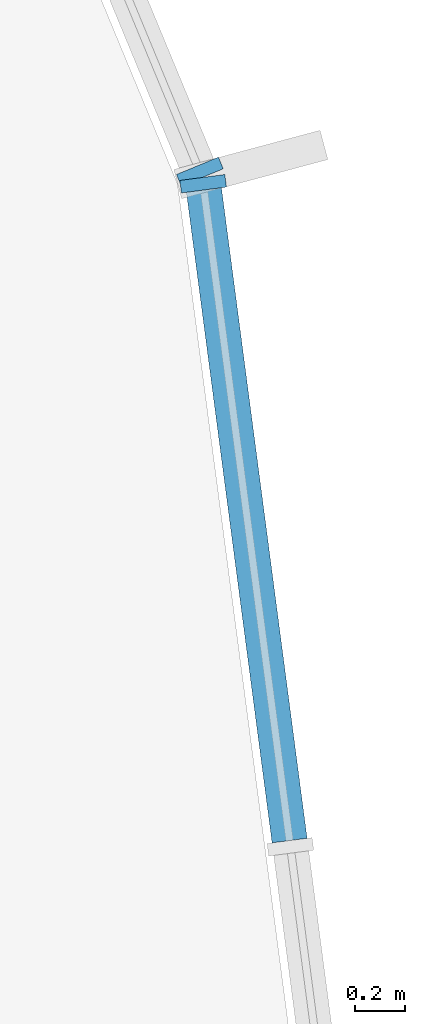
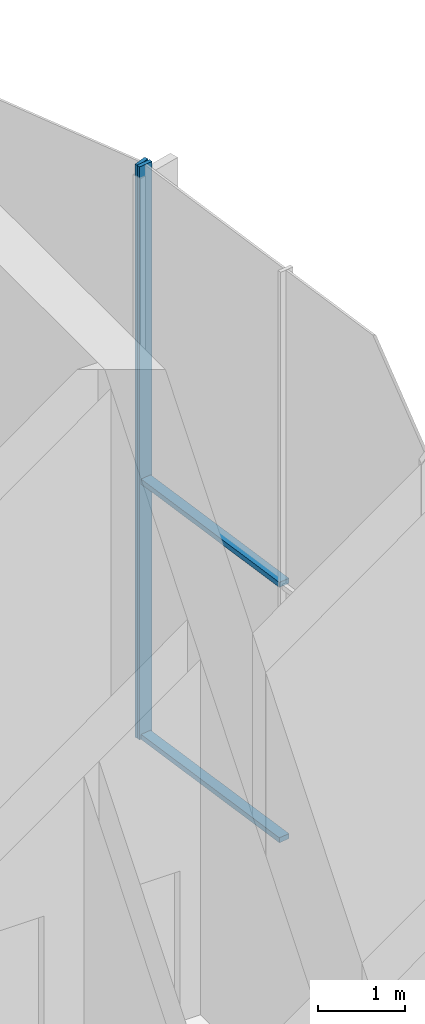
# One storey, part 6 of 18: 4 members, 2 elements without a shape of their own.
"""IFC4 building model written with IfcOpenShell, lengths in metres."""

from ifc_helpers import new_model, si_unit, direction, frame, origin, origin_2d, place, context, subcontext, project, spatial, rectangle, extrude, material, layer, layer_set, material_profile, profile_set, type_object, element, aggregate, save


model = new_model("IFC4")

# Units and contexts
model_context = context("Model", 3, precision=1e-05, world=origin(), true_north=direction((0.0, 1.0)))
body_context = subcontext(model_context, "Body", "Model", "MODEL_VIEW")
ifc_project = project(units=[si_unit("LENGTHUNIT", "METRE"), si_unit("AREAUNIT", "SQUARE_METRE"), si_unit("VOLUMEUNIT", "CUBIC_METRE"), si_unit("PLANEANGLEUNIT", "RADIAN"), si_unit("MASSUNIT", "GRAM", prefix="KILO")], contexts=[model_context])

# Site, building, storey
site_placement = place(None, origin())
site = spatial("IfcSite", under=ifc_project, at=site_placement, CompositionType="ELEMENT")
building_placement = place(site_placement, origin())
building = spatial("IfcBuilding", under=site, at=building_placement, Name="Torre Brocal", CompositionType="ELEMENT")
storey_placement = place(building_placement, frame((0.0, 0.0, 229.300048828125)))
storey = spatial("IfcBuildingStorey", under=building, at=storey_placement, Name="L53", CompositionType="ELEMENT", Elevation=229.300048828125)

# Curtain wall, member
ifc_material_1 = material(Name="Aluminium and glass", Category="aluminium")
ifc_layer = layer(ifc_material_1, 0.199951171875)
ifc_layer_set = layer_set([ifc_layer], Name="Aluminium and glass")
curtain_wall_type = type_object("IfcCurtainWallType", Name="CW-4 CURTAIN WALL 8000 HIGH", PredefinedType="NOTDEFINED", material=ifc_layer_set)
curtain_wall_1_placement = place(storey_placement, origin())
curtain_wall_1 = element("IfcCurtainWall", 1, at=curtain_wall_1_placement, inside=storey, type_object=curtain_wall_type, Name="CW-4 RUN 1", PredefinedType="NOTDEFINED")
ifc_material_2 = material(Name="Aluminium, dark anodised", Category="aluminium")
ifc_material_profile_1 = material_profile(ifc_material_2, rectangle(XDim=0.179931640625, YDim=0.050048828125, at=origin_2d()), Name="CW-4 MULLION 50X180")
ifc_profile_set_1 = profile_set([ifc_material_profile_1], Name="Aluminium, dark anodised")
member_type_1 = type_object("IfcMemberType", Name="CW-4 MULLION 50X180", PredefinedType="MULLION", material=ifc_profile_set_1)
member_1_placement = place(storey_placement, frame((105.02001953125, 81.678466796875, 0.0), z_axis=(0.0, 0.0, 1.0), x_axis=(-0.991444861374, -0.13052619222, 0.0)))
member_1 = element("IfcMember", 2, at=member_1_placement, type_object=member_type_1, Name="CW4-1 mullion 3", PredefinedType="MULLION", context=body_context, shape_type="SweptSolid", body=[
    extrude(rectangle(XDim=0.179931640625, YDim=0.050048828125, at=origin_2d()), origin(), (0.0, 0.0, 1.0), 8.0),
])

curtain_wall_2_placement = place(storey_placement, origin())
curtain_wall_2 = element("IfcCurtainWall", 3, at=curtain_wall_2_placement, inside=storey, type_object=curtain_wall_type, Name="CW-4 RUN 2", PredefinedType="NOTDEFINED")
member_2_placement = place(storey_placement, frame((105.007080078125, 81.726318359375, 0.0), z_axis=(0.0, 0.0, 1.0), x_axis=(-0.923879532525, -0.382683432333, 0.0)))
member_2 = element("IfcMember", 4, at=member_2_placement, type_object=member_type_1, Name="CW4-1 mullion 1", PredefinedType="MULLION", context=body_context, shape_type="SweptSolid", body=[
    extrude(rectangle(XDim=0.179931640625, YDim=0.050048828125, at=origin_2d()), origin(), (0.0, 0.0, 1.0), 8.0),
])
aggregate(curtain_wall_2, [member_2])

# Member
ifc_material_3 = material(Name="Aluminium, dark anodised", Category="aluminium")
ifc_material_profile_2 = material_profile(ifc_material_3, rectangle(XDim=0.139892578125, YDim=0.070068359375, at=origin_2d()), Name="CW-4 TRANSOM 140X70")
ifc_profile_set_2 = profile_set([ifc_material_profile_2], Name="Aluminium, dark anodised")
member_type_2 = type_object("IfcMemberType", Name="CW-4 TRANSOM 140X70", PredefinedType="USERDEFINED", material=ifc_profile_set_2)
member_3_placement = place(storey_placement, frame((105.362548828125, 79.076416015625, 0.034912109375), z_axis=(-0.130551694767, 0.991441503566, 0.0), x_axis=(-0.991441503566, -0.130551694767, 0.0)))
member_3 = element("IfcMember", 5, at=member_3_placement, type_object=member_type_2, Name="CW4-1 transom 2.1", ObjectType="TRANSOM", PredefinedType="USERDEFINED", context=body_context, shape_type="SweptSolid", body=[
    extrude(rectangle(XDim=0.139892578125, YDim=0.070068359375, at=origin_2d()), origin(), (0.0, 0.0, 1.0), 2.599365234375),
])

member_4_placement = place(storey_placement, frame((105.362548828125, 79.076416015625, 3.599853515625), z_axis=(-0.130551694767, 0.991441503566, 0.0), x_axis=(-0.991441503566, -0.130551694767, 0.0)))
member_4 = element("IfcMember", 6, at=member_4_placement, type_object=member_type_2, Name="CW4-1 transom 2.2", ObjectType="TRANSOM", PredefinedType="USERDEFINED", context=body_context, shape_type="SweptSolid", body=[
    extrude(rectangle(XDim=0.139892578125, YDim=0.070068359375, at=origin_2d()), origin(), (0.0, 0.0, 1.0), 2.599365234375),
])

aggregate(curtain_wall_1, [member_1, member_3, member_4])

save(model, "model.ifc")
